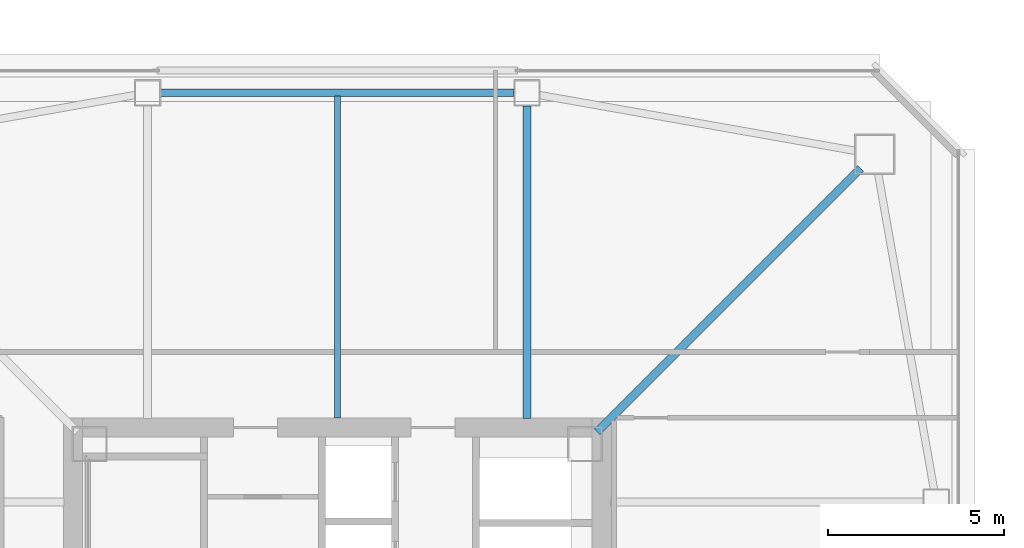
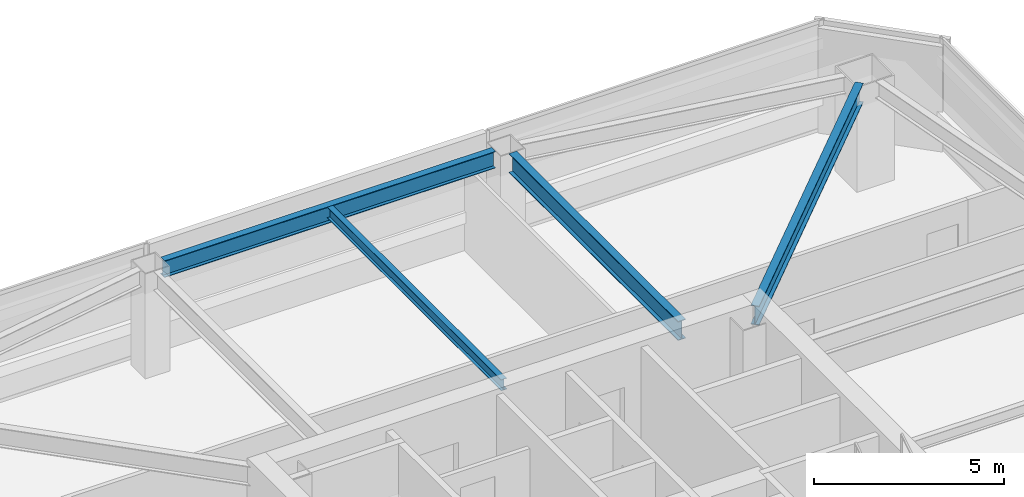
# One storey, part 13 of 41: 4 beams.
"""IFC4 building model written with IfcOpenShell, lengths in metres."""

from ifc_helpers import new_model, si_unit, direction, frame, origin, origin_2d, place, context, subcontext, project, spatial, i_section, extrude, material, material_profile, profile_set, type_object, element, save


model = new_model("IFC4")

# Units and contexts
model_context = context("Model", 3, precision=1e-05, world=origin(), true_north=direction((0.0, 1.0)))
body_context = subcontext(model_context, "Body", "Model", "MODEL_VIEW")
ifc_project = project(units=[si_unit("LENGTHUNIT", "METRE"), si_unit("AREAUNIT", "SQUARE_METRE"), si_unit("VOLUMEUNIT", "CUBIC_METRE"), si_unit("PLANEANGLEUNIT", "RADIAN"), si_unit("MASSUNIT", "GRAM", prefix="KILO")], contexts=[model_context])

# Site, building, storey
site_placement = place(None, origin())
site = spatial("IfcSite", under=ifc_project, at=site_placement, CompositionType="ELEMENT")
building_placement = place(site_placement, origin())
building = spatial("IfcBuilding", under=site, at=building_placement, Name="Tashvorn Skyway Center", CompositionType="ELEMENT")
storey_placement = place(building_placement, frame((0.0, 0.0, 192.5)))
storey = spatial("IfcBuildingStorey", under=building, at=storey_placement, Name="L52", CompositionType="ELEMENT", Elevation=192.5)

# Beams
ifc_material = material(Name="Steel ASTM A992 Grade 50", Category="steel")
ifc_material_profile_1 = material_profile(ifc_material, i_section(OverallWidth=0.22998046875, OverallDepth=0.616943359375, WebThickness=0.01318359375, FlangeThickness=0.022216796875, at=origin_2d()), Name="W24X94")
ifc_profile_set_1 = profile_set([ifc_material_profile_1], Name="Steel ASTM A992 Grade 50")
beam_type_1 = type_object("IfcBeamType", Name="BM-BEAM-W24X94", PredefinedType="BEAM", material=ifc_profile_set_1)
beam_1_placement = place(storey_placement, frame((56.89697265625, 46.89697265625, 3.0615234375), z_axis=(-0.707106781187, -0.707106781187, 0.0), x_axis=(0.707106781187, -0.707106781187, 0.0)))
element("IfcBeam", 1, at=beam_1_placement, inside=storey, type_object=beam_type_1, Name="Tower 1 L52 Primary Floor Girder MC-NE", PredefinedType="BEAM", context=body_context, shape_type="SweptSolid", body=[
    extrude(i_section(OverallWidth=0.22998046875, OverallDepth=0.616943359375, WebThickness=0.01318359375, FlangeThickness=0.022216796875, at=origin_2d()), origin(), (0.0, 0.0, 1.0), 10.6025390625),
])
beam_2_placement = place(storey_placement, frame((47.39990234375, 48.679931640625, 3.0615234375), z_axis=(0.0, -1.0, 0.0), x_axis=(1.0, 0.0, 0.0)))
element("IfcBeam", 2, at=beam_2_placement, inside=storey, type_object=beam_type_1, Name="Tower 1 L52 Primary Floor Girder FC-N1", PredefinedType="BEAM", context=body_context, shape_type="SweptSolid", body=[
    extrude(i_section(OverallWidth=0.22998046875, OverallDepth=0.616943359375, WebThickness=0.01318359375, FlangeThickness=0.022216796875, at=origin_2d()), origin(), (0.0, 0.0, 1.0), 8.89990234375),
])
ifc_material_profile_2 = material_profile(ifc_material, i_section(OverallWidth=0.1708984375, OverallDepth=0.35498046875, WebThickness=0.007080078125, FlangeThickness=0.01171875, at=origin_2d()), Name="W14X34")
ifc_profile_set_2 = profile_set([ifc_material_profile_2], Name="Steel ASTM A992 Grade 50")
beam_type_2 = type_object("IfcBeamType", Name="BM-JOIST-W14X34", PredefinedType="JOIST", material=ifc_profile_set_2)
beam_3_placement = place(storey_placement, frame((42.0, 39.7900390625, 3.1923828125), z_axis=(0.0, 1.0, 0.0), x_axis=(-1.0, 0.0, 0.0)))
element("IfcBeam", 3, at=beam_3_placement, inside=storey, type_object=beam_type_2, Name="Tower 1 L52 Secondary Composite Joist JN", PredefinedType="JOIST", context=body_context, shape_type="SweptSolid", body=[
    extrude(i_section(OverallWidth=0.1708984375, OverallDepth=0.35498046875, WebThickness=0.007080078125, FlangeThickness=0.01171875, at=origin_2d()), origin(), (0.0, 0.0, 1.0), 9.162353515625),
])
ifc_material_profile_3 = material_profile(ifc_material, i_section(OverallWidth=0.2109375, OverallDepth=0.5390625, WebThickness=0.01171875, FlangeThickness=0.018798828125, at=origin_2d()), Name="W21X73")
ifc_profile_set_3 = profile_set([ifc_material_profile_3], Name="Steel ASTM A992 Grade 50")
beam_type_3 = type_object("IfcBeamType", Name="BM-SPANDREL-W21X73", PredefinedType="SPANDREL", material=ifc_profile_set_3)
beam_4_placement = place(storey_placement, frame((47.030029296875, 49.050048828125, 3.1005859375), z_axis=(-1.0, 0.0, 0.0), x_axis=(0.0, -1.0, 0.0)))
element("IfcBeam", 4, at=beam_4_placement, inside=storey, type_object=beam_type_3, Name="Tower 1 L52 Spandrel Beam 08", PredefinedType="SPANDREL", context=body_context, shape_type="SweptSolid", body=[
    extrude(i_section(OverallWidth=0.2109375, OverallDepth=0.5390625, WebThickness=0.01171875, FlangeThickness=0.018798828125, at=origin_2d()), origin(), (0.0, 0.0, 1.0), 10.06005859375),
])

save(model, "model.ifc")
